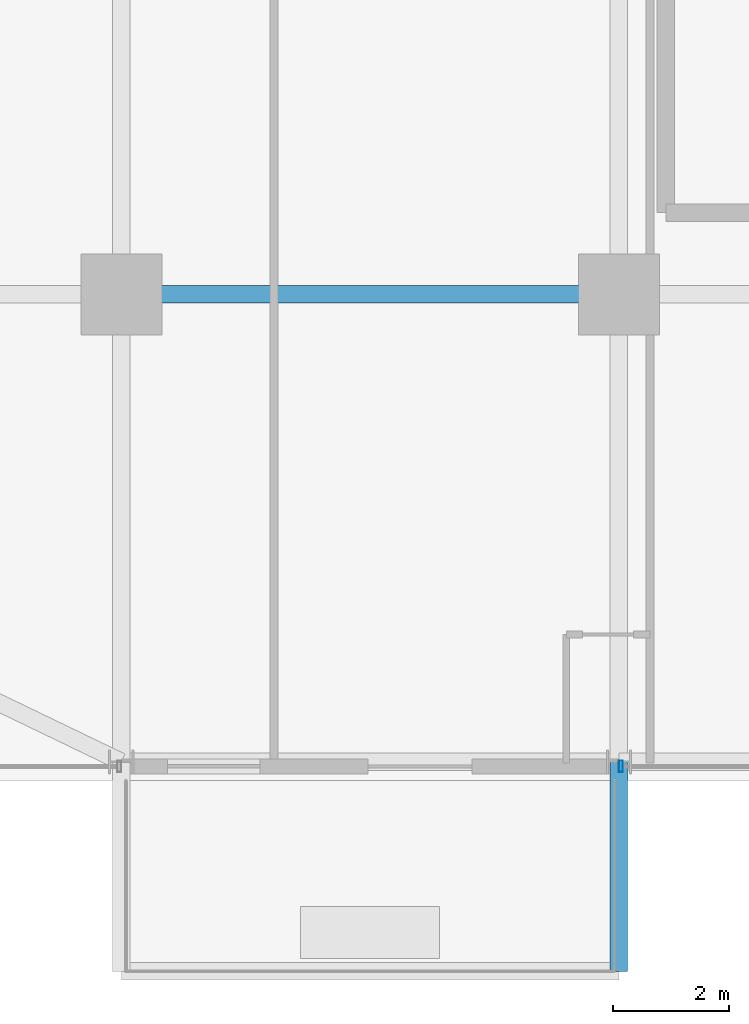
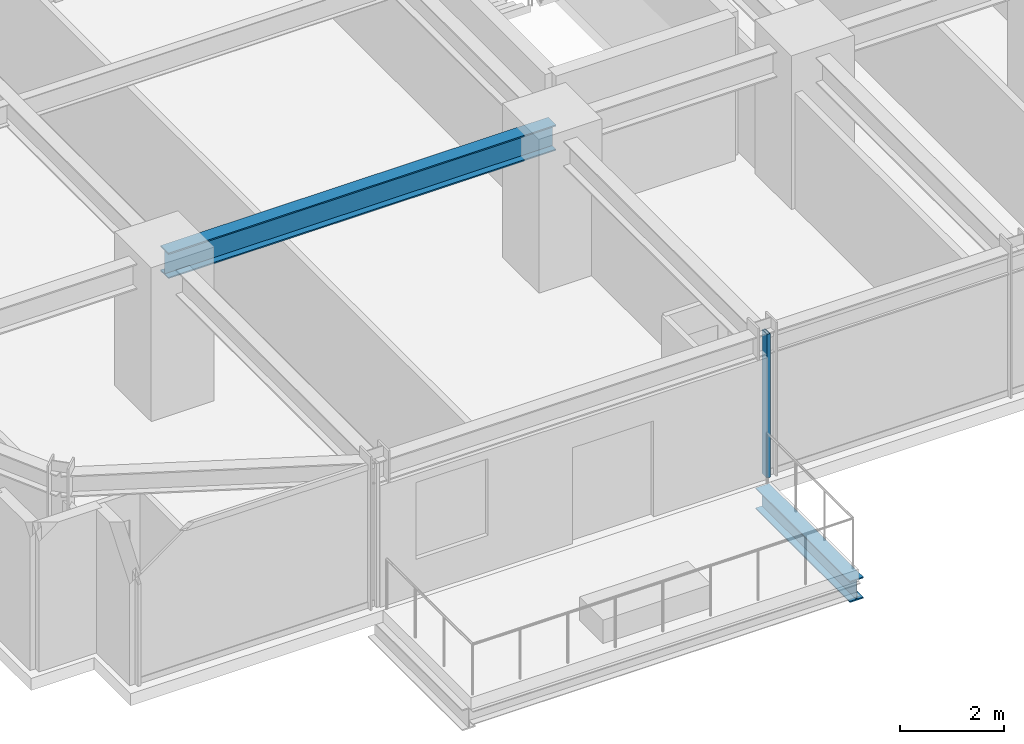
# One storey, part 5 of 37: 2 beams, 1 member, 1 element without a shape of its own.
"""IFC4 building model written with IfcOpenShell, lengths in metres."""

import ifcopenshell
import ifcopenshell.guid

model = None  # the IFC model being written
_history = None  # IfcOwnerHistory: only IFC2X3 demands one
_inside = {}  # id of a spatial element -> (the spatial element, [elements in it])
_under = {}  # id of a project, library or spatial element -> (it, [spatial elements below it])
_declared = {}  # id of a project -> (the project, [libraries it declares])
_typed = {}  # id of a type object -> (the type object, [elements of that type])
_made_of = {}  # id of a material, layer set ... -> (it, [elements and type objects made of it])


def new_model(schema):
    """Start an empty IFC model of exactly this schema.

    Asked for "IFC4X3", IfcOpenShell would pick the latest addendum, in which some entities
    have other attributes; the version numbers below select the first issue.
    IFC2X3 requires an IfcOwnerHistory on every rooted entity: one is made here for all.
    """
    global model, _history
    if schema == "IFC4X3":
        model = ifcopenshell.file(schema_version=(4, 3, 0, 0))
    else:
        model = ifcopenshell.file(schema=schema)
    _inside.clear()
    _under.clear()
    _declared.clear()
    _typed.clear()
    _made_of.clear()
    _history = None
    if model.schema == "IFC2X3":
        org = make("IfcOrganization", Name="unknown")
        user = make(
            "IfcPersonAndOrganization",
            ThePerson=make("IfcPerson", FamilyName="unknown"),
            TheOrganization=org,
        )
        app = make(
            "IfcApplication",
            ApplicationDeveloper=org,
            Version="unknown",
            ApplicationFullName="unknown",
            ApplicationIdentifier="unknown",
        )
        _history = make(
            "IfcOwnerHistory",
            OwningUser=user,
            OwningApplication=app,
            ChangeAction="ADDED",
            CreationDate=0,
        )
    return model


def make(cls, **values):
    """One entity of the class cls with the attributes given. An attribute that is None is left unset."""
    return model.create_entity(
        cls, **{name: value for name, value in values.items() if value is not None}
    )


def rooted(cls, **values):
    """An entity with a GlobalId (a new one), such as an element, a storey or a relation."""
    return make(cls, GlobalId=ifcopenshell.guid.new(), OwnerHistory=_history, **values)


def si_unit(unit_type, name, prefix=None):
    """IfcSIUnit, for example si_unit("LENGTHUNIT", "METRE", prefix="MILLI")."""
    return make("IfcSIUnit", UnitType=unit_type, Prefix=prefix, Name=name)


def assignment(units):
    """IfcUnitAssignment: the units of a project."""
    return None if units is None else make("IfcUnitAssignment", Units=units)


def point(xyz):
    """IfcCartesianPoint."""
    return None if xyz is None else make("IfcCartesianPoint", Coordinates=xyz)


def direction(xyz):
    """IfcDirection."""
    return None if xyz is None else make("IfcDirection", DirectionRatios=xyz)


def frame(location, z_axis=None, x_axis=None):
    """IfcAxis2Placement3D, a coordinate frame: its origin and axes. An axis left out is left unset."""
    return make(
        "IfcAxis2Placement3D",
        Location=point(location),
        Axis=direction(z_axis),
        RefDirection=direction(x_axis),
    )


def frame_2d(location, x_axis=None):
    """IfcAxis2Placement2D, a coordinate frame in the plane: its origin and x axis."""
    return make(
        "IfcAxis2Placement2D", Location=point(location), RefDirection=direction(x_axis)
    )


def origin():
    """The frame at (0, 0, 0) with its axes left unset."""
    return frame((0.0, 0.0, 0.0))


def origin_2d():
    """The frame at (0, 0) in the plane with its x axis left unset."""
    return frame_2d((0.0, 0.0))


def place(relative_to, where):
    """IfcLocalPlacement: puts the frame where relative to a parent placement (None: the world)."""
    return make(
        "IfcLocalPlacement", PlacementRelTo=relative_to, RelativePlacement=where
    )


def context(
    kind, dimensions, precision=None, world=None, true_north=None, identifier=None
):
    """IfcGeometricRepresentationContext, for example the 3D "Model" context."""
    return make(
        "IfcGeometricRepresentationContext",
        ContextIdentifier=identifier,
        ContextType=kind,
        CoordinateSpaceDimension=dimensions,
        Precision=precision,
        WorldCoordinateSystem=world,
        TrueNorth=true_north,
    )


def subcontext(parent, identifier, kind, view, scale=None):
    """IfcGeometricRepresentationSubContext, for example "Body" below "Model"."""
    return make(
        "IfcGeometricRepresentationSubContext",
        ContextIdentifier=identifier,
        ContextType=kind,
        ParentContext=parent,
        TargetScale=scale,
        TargetView=view,
    )


def project(units=None, contexts=None):
    """IfcProject with its units and contexts."""
    return rooted(
        "IfcProject",
        Name="project",
        RepresentationContexts=contexts,
        UnitsInContext=assignment(units),
    )


def spatial(cls, under=None, at=None, **own):
    """A site, building, storey or space (cls), placed at a placement, below another one or the project."""
    s = rooted(cls, ObjectPlacement=at, **own)
    if under is not None:
        _under.setdefault(under.id(), (under, []))[1].append(s)
    return s


def profile(cls, at=None, kind="AREA", **sizes):
    """A parametric profile (cls). Its sizes go by their IFC names, for example OverallWidth=200.0."""
    return make(cls, ProfileType=kind, Position=at, **sizes)


def hollow_rectangle(**sizes):
    """IfcRectangleHollowProfileDef."""
    return profile("IfcRectangleHollowProfileDef", **sizes)


def i_section(**sizes):
    """IfcIShapeProfileDef."""
    return profile("IfcIShapeProfileDef", **sizes)


def extrude(swept, where, along, depth):
    """IfcExtrudedAreaSolid: the profile swept, set in the frame where, extruded along a direction by depth."""
    return make(
        "IfcExtrudedAreaSolid",
        SweptArea=swept,
        Position=where,
        ExtrudedDirection=direction(along),
        Depth=depth,
    )


def shape(context_of_items, identifier, shape_type, items):
    """IfcShapeRepresentation: the items that make up one representation, for example the "Body"."""
    return make(
        "IfcShapeRepresentation",
        ContextOfItems=context_of_items,
        RepresentationIdentifier=identifier,
        RepresentationType=shape_type,
        Items=items,
    )


def source(mapping_origin, context_of_items, identifier, shape_type, items):
    """IfcRepresentationMap: a shape defined once, which mapped items show again and again."""
    return make(
        "IfcRepresentationMap",
        MappingOrigin=mapping_origin,
        MappedRepresentation=shape(context_of_items, identifier, shape_type, items),
    )


def transform(
    local_origin,
    x_axis=None,
    y_axis=None,
    z_axis=None,
    scale=None,
    scale2=None,
    scale3=None,
    uniform=True,
):
    """IfcCartesianTransformationOperator3D, or its non-uniform kind. x_axis, y_axis, z_axis: its Axis1, 2, 3."""
    if uniform:
        return make(
            "IfcCartesianTransformationOperator3D",
            Axis1=direction(x_axis),
            Axis2=direction(y_axis),
            LocalOrigin=point(local_origin),
            Scale=scale,
            Axis3=direction(z_axis),
        )
    return make(
        "IfcCartesianTransformationOperator3DnonUniform",
        Axis1=direction(x_axis),
        Axis2=direction(y_axis),
        LocalOrigin=point(local_origin),
        Scale=scale,
        Axis3=direction(z_axis),
        Scale2=scale2,
        Scale3=scale3,
    )


def mapped(mapping_source, mapping_target):
    """IfcMappedItem: shows the shape of a source again, moved by a transform."""
    return make(
        "IfcMappedItem", MappingSource=mapping_source, MappingTarget=mapping_target
    )


def material(Name=None, Category=None):
    """IfcMaterial."""
    return make("IfcMaterial", Name=Name, Category=Category)


def material_profile(
    of_material, cross_section, Name=None, Category=None, Priority=None
):
    """IfcMaterialProfile: a cross section and its material."""
    return make(
        "IfcMaterialProfile",
        Name=Name,
        Material=of_material,
        Profile=cross_section,
        Priority=Priority,
        Category=Category,
    )


def profile_set(profiles, Name=None, composite=None):
    """IfcMaterialProfileSet."""
    return make(
        "IfcMaterialProfileSet",
        Name=Name,
        MaterialProfiles=profiles,
        CompositeProfile=composite,
    )


def made_of(thing, what):
    """Note that an element or type object is made of a material, layer set ...; save() writes the relation."""
    if what is not None:
        _made_of.setdefault(what.id(), (what, []))[1].append(thing)
    return thing


def type_object(cls, material=None, **own):
    """A type object (cls), such as IfcWallType, which elements share."""
    return made_of(rooted(cls, **own), material)


def element(
    cls,
    number,
    at=None,
    inside=None,
    cuts=None,
    type_object=None,
    material=None,
    context=None,
    identifier="Body",
    shape_type=None,
    held_by="IfcProductDefinitionShape",
    body=None,
    shapes=None,
    **own,
):
    """One element of the class cls, such as IfcWall. Its Tag is "e" and its number.

    at: its placement. inside: the storey or other place that contains it. cuts: it is an
    opening in that element (IfcRelVoidsElement). A single representation is given by context,
    identifier, shape_type and body (its items); several are given by shapes. held_by: the class
    of the entity that holds the representations. save() writes the other relations.
    """
    e = rooted(cls, Tag="e%d" % number, ObjectPlacement=at, **own)
    if body is not None:
        shapes = [shape(context, identifier, shape_type, body)]
    if shapes is not None:
        e.Representation = make(held_by, Representations=shapes)
    if inside is not None:
        _inside.setdefault(inside.id(), (inside, []))[1].append(e)
    if cuts is not None:
        rooted(
            "IfcRelVoidsElement", RelatingBuildingElement=cuts, RelatedOpeningElement=e
        )
    if type_object is not None:
        _typed.setdefault(type_object.id(), (type_object, []))[1].append(e)
    return made_of(e, material)


def aggregate(whole, parts):
    """IfcRelAggregates: a whole, such as a stair, and the parts it consists of."""
    return rooted("IfcRelAggregates", RelatingObject=whole, RelatedObjects=parts)


def save(model, path):
    """Write the relations noted so far, then the file.

    IfcRelAggregates (storeys below a building ...), IfcRelContainedInSpatialStructure (elements
    in a storey), IfcRelDefinesByType, IfcRelAssociatesMaterial and IfcRelDeclares: one each for
    every whole, place, type object, material and project.
    """
    for whole, parts in _under.values():
        aggregate(whole, parts)
    for where, things in _inside.values():
        rooted(
            "IfcRelContainedInSpatialStructure",
            RelatedElements=things,
            RelatingStructure=where,
        )
    for kind, things in _typed.values():
        rooted("IfcRelDefinesByType", RelatedObjects=things, RelatingType=kind)
    for what, things in _made_of.values():
        rooted("IfcRelAssociatesMaterial", RelatedObjects=things, RelatingMaterial=what)
    for by, libraries in _declared.values():
        rooted("IfcRelDeclares", RelatingContext=by, RelatedDefinitions=libraries)
    model.write(path)


model = new_model("IFC4")

# Units and contexts
model_context = context("Model", 3, precision=1e-05, world=origin(), true_north=direction((0.0, 1.0)))
body_context = subcontext(model_context, "Body", "Model", "MODEL_VIEW")
ifc_project = project(units=[si_unit("LENGTHUNIT", "METRE"), si_unit("AREAUNIT", "SQUARE_METRE"), si_unit("VOLUMEUNIT", "CUBIC_METRE"), si_unit("PLANEANGLEUNIT", "RADIAN"), si_unit("MASSUNIT", "GRAM", prefix="KILO")], contexts=[model_context])

# Site, building, storey
site_placement = place(None, origin())
site = spatial("IfcSite", under=ifc_project, at=site_placement, CompositionType="ELEMENT")
building_placement = place(site_placement, origin())
building = spatial("IfcBuilding", under=site, at=building_placement, Name="Nahalor Promenade Grand Hotel", CompositionType="ELEMENT")
storey_placement = place(building_placement, frame((0.0, 0.0, 65.25)))
storey = spatial("IfcBuildingStorey", under=building, at=storey_placement, Name="L15", CompositionType="ELEMENT", Elevation=65.25)

# Beams
ifc_material_1 = material(Name="Steel S355JR", Category="steel")
ifc_material_profile_1 = material_profile(ifc_material_1, i_section(OverallWidth=0.3, OverallDepth=0.5, WebThickness=0.0145, FlangeThickness=0.028, at=origin_2d()), Name="HEB 500")
ifc_profile_set_1 = profile_set([ifc_material_profile_1], Name="Steel S355JR")
beam_type_1 = type_object("IfcBeamType", Name="Beam-Outrigger-HEB500", PredefinedType="BEAM", material=ifc_profile_set_1)
shared_shape_1 = source(origin(), body_context, "Body", "SweptSolid", [
    extrude(i_section(OverallWidth=0.3, OverallDepth=0.5, WebThickness=0.0145, FlangeThickness=0.028, at=origin_2d()), origin(), (0.0, 0.0, 1.0), 3.619873046875),
])
beam_1_placement = place(storey_placement, frame((-8.39990234375, -28.699951171875, -0.530029296875), z_axis=(0.0, 1.0, 0.0), x_axis=(-1.0, 0.0, 0.0)))
element("IfcBeam", 1, at=beam_1_placement, inside=storey, type_object=beam_type_1, Name="BM-L15-BC-01-2", PredefinedType="BEAM", context=body_context, shape_type="MappedRepresentation", body=[
    mapped(shared_shape_1, transform((0.0, 0.0, 0.0), scale=1.0)),
])
ifc_material_profile_2 = material_profile(ifc_material_1, i_section(OverallWidth=0.3, OverallDepth=0.6, WebThickness=0.0155, FlangeThickness=0.03, at=origin_2d()), Name="HEB 600")
ifc_profile_set_2 = profile_set([ifc_material_profile_2], Name="Steel S355JR")
beam_type_2 = type_object("IfcBeamType", Name="Beam-Girder-HEB600", PredefinedType="BEAM", material=ifc_profile_set_2)
shared_shape_2 = source(origin(), body_context, "Body", "SweptSolid", [
    extrude(i_section(OverallWidth=0.3, OverallDepth=0.6, WebThickness=0.0155, FlangeThickness=0.03, at=origin_2d()), origin(), (0.0, 0.0, 1.0), 8.60009765625),
])
beam_2_placement = place(storey_placement, frame((-17.0, -17.0, 3.070068359375), z_axis=(1.0, 0.0, 0.0), x_axis=(0.0, 1.0, 0.0)))
element("IfcBeam", 2, at=beam_2_placement, inside=storey, type_object=beam_type_2, Name="BM-L15-GX-0-1", PredefinedType="BEAM", context=body_context, shape_type="MappedRepresentation", body=[
    mapped(shared_shape_2, transform((0.0, 0.0, 0.0), scale=1.0)),
])

# Curtain wall, member
ifc_material_2 = material(Name="Anodised Bronze Aluminium EN AW-6063 T6", Category="aluminium")
curtain_wall_type = type_object("IfcCurtainWallType", Name="CW3 Elliptical-Void Collar Unitised Curtain Wall", PredefinedType="USERDEFINED", material=ifc_material_2)
curtain_wall_placement = place(storey_placement, origin())
curtain_wall = element("IfcCurtainWall", 3, at=curtain_wall_placement, inside=storey, type_object=curtain_wall_type, Name="L15 Curtain Wall CW-L15-S-3", ObjectType="UNITISED_CURTAIN_WALL", PredefinedType="USERDEFINED")
ifc_material_profile_3 = material_profile(ifc_material_2, hollow_rectangle(XDim=0.07, YDim=0.2, WallThickness=0.005, at=origin_2d()), Name="CWM 70x200x5")
ifc_profile_set_3 = profile_set([ifc_material_profile_3], Name="Anodised Bronze Aluminium EN AW-6063 T6")
member_type = type_object("IfcMemberType", Name="CWM3 Void Collar Mullion 70x200", PredefinedType="MULLION", material=ifc_profile_set_3)
shared_shape_3 = source(origin(), body_context, "Body", "SweptSolid", [
    extrude(hollow_rectangle(XDim=0.07, YDim=0.2, WallThickness=0.005, at=origin_2d()), origin(), (0.0, 0.0, 1.0), 3.3701171875),
])
member_placement = place(storey_placement, frame((-8.364990234375, -25.159912109375, 0.0), z_axis=(0.0, 0.0, 1.0), x_axis=(1.0, 0.0, 0.0)))
member = element("IfcMember", 4, at=member_placement, type_object=member_type, Name="CW-L15-S-3 Mullion 0", PredefinedType="MULLION", context=body_context, shape_type="MappedRepresentation", body=[
    mapped(shared_shape_3, transform((0.0, 0.0, 0.0), scale=1.0)),
])
aggregate(curtain_wall, [member])

save(model, "model.ifc")
